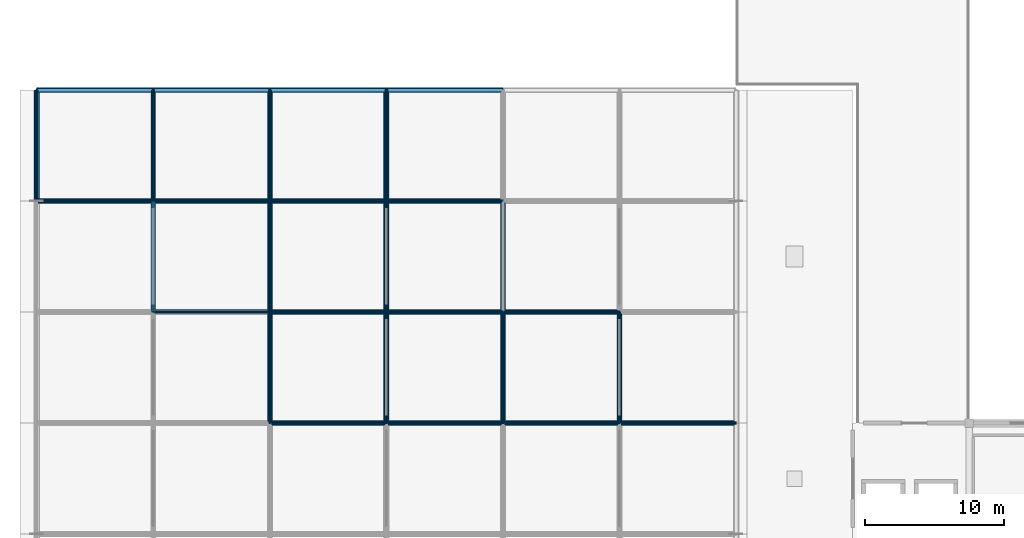
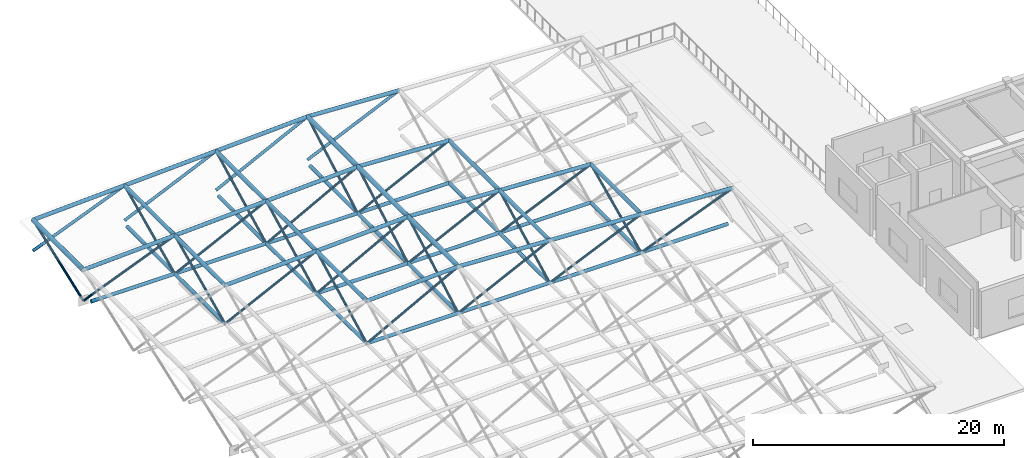
# One storey, part 8 of 37: 46 beams, 31 members.
"""IFC4 building model written with IfcOpenShell, lengths in metres."""

from ifc_helpers import new_model, si_unit, direction, frame, origin, origin_2d, place, context, subcontext, project, spatial, hollow_circle, extrude, material, material_profile, profile_set, type_object, element, save


model = new_model("IFC4")

# Units and contexts
model_context = context("Model", 3, precision=1e-05, world=origin(), true_north=direction((0.0, 1.0)))
body_context = subcontext(model_context, "Body", "Model", "MODEL_VIEW")
ifc_project = project(units=[si_unit("LENGTHUNIT", "METRE"), si_unit("AREAUNIT", "SQUARE_METRE"), si_unit("VOLUMEUNIT", "CUBIC_METRE"), si_unit("PLANEANGLEUNIT", "RADIAN"), si_unit("MASSUNIT", "GRAM", prefix="KILO")], contexts=[model_context])

# Site, building, storey
site_placement = place(None, origin())
site = spatial("IfcSite", under=ifc_project, at=site_placement, CompositionType="ELEMENT")
building_placement = place(site_placement, origin())
building = spatial("IfcBuilding", under=site, at=building_placement, Name="Naruveol Harbour Congress Hotel", CompositionType="ELEMENT")
storey_placement = place(building_placement, frame((0.0, 0.0, 16.199951171875)))
storey = spatial("IfcBuildingStorey", under=building, at=storey_placement, Name="L03", CompositionType="ELEMENT", Elevation=16.199951171875)

# Beams
ifc_material_1 = material(Name="Steel SN490", Category="steel")
ifc_material_profile_1 = material_profile(ifc_material_1, hollow_circle(Radius=0.161865234375, WallThickness=0.012451171875, at=origin_2d()), Name="CHS-323.9x12.5")
ifc_profile_set_1 = profile_set([ifc_material_profile_1], Name="Steel SN490")
beam_type_1 = type_object("IfcBeamType", Name="STEEL SPACE FRAME BOTTOM CHORD CHS324", PredefinedType="JOIST", material=ifc_profile_set_1)
beam_1_placement = place(storey_placement, frame((16.800048828125, 32.0, -0.320068359375), z_axis=(1.0, 0.0, 0.0), x_axis=(0.0, 1.0, 0.0)))
element("IfcBeam", 1, at=beam_1_placement, inside=storey, type_object=beam_type_1, Name="Space frame bottom chord X #21", PredefinedType="JOIST", context=body_context, shape_type="SweptSolid", body=[
    extrude(hollow_circle(Radius=0.161865234375, WallThickness=0.012451171875, at=origin_2d()), origin(), (0.0, 0.0, 1.0), 8.39990234375),
])
beam_2_placement = place(storey_placement, frame((25.199951171875, 32.0, -0.320068359375), z_axis=(1.0, 0.0, 0.0), x_axis=(0.0, 1.0, 0.0)))
element("IfcBeam", 2, at=beam_2_placement, inside=storey, type_object=beam_type_1, Name="Space frame bottom chord X #22", PredefinedType="JOIST", context=body_context, shape_type="SweptSolid", body=[
    extrude(hollow_circle(Radius=0.161865234375, WallThickness=0.012451171875, at=origin_2d()), origin(), (0.0, 0.0, 1.0), 8.400146484375),
])
beam_3_placement = place(storey_placement, frame((33.60009765625, 32.0, -0.320068359375), z_axis=(1.0, 0.0, 0.0), x_axis=(0.0, 1.0, 0.0)))
element("IfcBeam", 3, at=beam_3_placement, inside=storey, type_object=beam_type_1, Name="Space frame bottom chord X #23", PredefinedType="JOIST", context=body_context, shape_type="SweptSolid", body=[
    extrude(hollow_circle(Radius=0.161865234375, WallThickness=0.012451171875, at=origin_2d()), origin(), (0.0, 0.0, 1.0), 8.39990234375),
])
beam_4_placement = place(storey_placement, frame((42.0, 32.0, -0.320068359375), z_axis=(1.0, 0.0, 0.0), x_axis=(0.0, 1.0, 0.0)))
element("IfcBeam", 4, at=beam_4_placement, inside=storey, type_object=beam_type_1, Name="Space frame bottom chord X #24", PredefinedType="JOIST", context=body_context, shape_type="SweptSolid", body=[
    extrude(hollow_circle(Radius=0.161865234375, WallThickness=0.012451171875, at=origin_2d()), origin(), (0.0, 0.0, 1.0), 7.955078125),
])
beam_5_placement = place(storey_placement, frame((16.800048828125, 40.0, -0.320068359375), z_axis=(1.0, 0.0, 0.0), x_axis=(0.0, 1.0, 0.0)))
element("IfcBeam", 5, at=beam_5_placement, inside=storey, type_object=beam_type_1, Name="Space frame bottom chord X #27", PredefinedType="JOIST", context=body_context, shape_type="SweptSolid", body=[
    extrude(hollow_circle(Radius=0.161865234375, WallThickness=0.012451171875, at=origin_2d()), origin(), (0.0, 0.0, 1.0), 8.39990234375),
])
beam_6_placement = place(storey_placement, frame((25.199951171875, 40.0, -0.320068359375), z_axis=(1.0, 0.0, 0.0), x_axis=(0.0, 1.0, 0.0)))
element("IfcBeam", 6, at=beam_6_placement, inside=storey, type_object=beam_type_1, Name="Space frame bottom chord X #28", PredefinedType="JOIST", context=body_context, shape_type="SweptSolid", body=[
    extrude(hollow_circle(Radius=0.161865234375, WallThickness=0.012451171875, at=origin_2d()), origin(), (0.0, 0.0, 1.0), 8.400146484375),
])
beam_7_placement = place(storey_placement, frame((33.60009765625, 40.0, -0.320068359375), z_axis=(1.0, 0.0, 0.0), x_axis=(0.0, 1.0, 0.0)))
element("IfcBeam", 7, at=beam_7_placement, inside=storey, type_object=beam_type_1, Name="Space frame bottom chord X #29", PredefinedType="JOIST", context=body_context, shape_type="SweptSolid", body=[
    extrude(hollow_circle(Radius=0.161865234375, WallThickness=0.012451171875, at=origin_2d()), origin(), (0.0, 0.0, 1.0), 8.39990234375),
])
beam_8_placement = place(storey_placement, frame((0.695068359375, 48.0, -0.320068359375), z_axis=(1.0, 0.0, 0.0), x_axis=(0.0, 1.0, 0.0)))
element("IfcBeam", 8, at=beam_8_placement, inside=storey, type_object=beam_type_1, Name="Space frame bottom chord X #31", PredefinedType="JOIST", context=body_context, shape_type="SweptSolid", body=[
    extrude(hollow_circle(Radius=0.161865234375, WallThickness=0.012451171875, at=origin_2d()), origin(), (0.0, 0.0, 1.0), 7.704833984375),
])
beam_9_placement = place(storey_placement, frame((8.39990234375, 48.0, -0.320068359375), z_axis=(1.0, 0.0, 0.0), x_axis=(0.0, 1.0, 0.0)))
element("IfcBeam", 9, at=beam_9_placement, inside=storey, type_object=beam_type_1, Name="Space frame bottom chord X #32", PredefinedType="JOIST", context=body_context, shape_type="SweptSolid", body=[
    extrude(hollow_circle(Radius=0.161865234375, WallThickness=0.012451171875, at=origin_2d()), origin(), (0.0, 0.0, 1.0), 8.400146484375),
])
beam_10_placement = place(storey_placement, frame((16.800048828125, 48.0, -0.320068359375), z_axis=(1.0, 0.0, 0.0), x_axis=(0.0, 1.0, 0.0)))
element("IfcBeam", 10, at=beam_10_placement, inside=storey, type_object=beam_type_1, Name="Space frame bottom chord X #33", PredefinedType="JOIST", context=body_context, shape_type="SweptSolid", body=[
    extrude(hollow_circle(Radius=0.161865234375, WallThickness=0.012451171875, at=origin_2d()), origin(), (0.0, 0.0, 1.0), 8.39990234375),
])
beam_11_placement = place(storey_placement, frame((25.199951171875, 48.0, -0.320068359375), z_axis=(1.0, 0.0, 0.0), x_axis=(0.0, 1.0, 0.0)))
element("IfcBeam", 11, at=beam_11_placement, inside=storey, type_object=beam_type_1, Name="Space frame bottom chord X #34", PredefinedType="JOIST", context=body_context, shape_type="SweptSolid", body=[
    extrude(hollow_circle(Radius=0.161865234375, WallThickness=0.012451171875, at=origin_2d()), origin(), (0.0, 0.0, 1.0), 8.400146484375),
])
beam_12_placement = place(storey_placement, frame((8.39990234375, 40.0, -0.320068359375), z_axis=(0.0, 1.0, 0.0), x_axis=(-1.0, 0.0, 0.0)))
element("IfcBeam", 12, at=beam_12_placement, inside=storey, type_object=beam_type_1, Name="Space frame bottom chord Y #42", PredefinedType="JOIST", context=body_context, shape_type="SweptSolid", body=[
    extrude(hollow_circle(Radius=0.161865234375, WallThickness=0.012451171875, at=origin_2d()), origin(), (0.0, 0.0, 1.0), 8.0),
])
beam_13_placement = place(storey_placement, frame((8.39990234375, 48.0, -0.320068359375), z_axis=(0.0, 1.0, 0.0), x_axis=(-1.0, 0.0, 0.0)))
element("IfcBeam", 13, at=beam_13_placement, inside=storey, type_object=beam_type_1, Name="Space frame bottom chord Y #43", PredefinedType="JOIST", context=body_context, shape_type="SweptSolid", body=[
    extrude(hollow_circle(Radius=0.161865234375, WallThickness=0.012451171875, at=origin_2d()), origin(), (0.0, 0.0, 1.0), 7.554931640625),
])
for number, where, z_axis, x_axis, name in (
    (14, (16.800048828125, 32.0, -0.320068359375), (0.0, 1.0, 0.0), (-1.0, 0.0, 0.0), "Space frame bottom chord Y #48"),
    (15, (16.800048828125, 40.0, -0.320068359375), (0.0, 1.0, 0.0), (-1.0, 0.0, 0.0), "Space frame bottom chord Y #49"),
):
    element("IfcBeam", number, at=place(storey_placement, frame(where, z_axis=z_axis, x_axis=x_axis)), inside=storey, type_object=beam_type_1, Name=name, PredefinedType="JOIST", context=body_context, shape_type="SweptSolid", body=[
        extrude(hollow_circle(Radius=0.161865234375, WallThickness=0.012451171875, at=origin_2d()), origin(), (0.0, 0.0, 1.0), 8.0),
    ])
beam_14_placement = place(storey_placement, frame((16.800048828125, 48.0, -0.320068359375), z_axis=(0.0, 1.0, 0.0), x_axis=(-1.0, 0.0, 0.0)))
element("IfcBeam", 16, at=beam_14_placement, inside=storey, type_object=beam_type_1, Name="Space frame bottom chord Y #50", PredefinedType="JOIST", context=body_context, shape_type="SweptSolid", body=[
    extrude(hollow_circle(Radius=0.161865234375, WallThickness=0.012451171875, at=origin_2d()), origin(), (0.0, 0.0, 1.0), 7.554931640625),
])
for number, where, z_axis, x_axis, name in (
    (17, (25.199951171875, 32.0, -0.320068359375), (0.0, 1.0, 0.0), (-1.0, 0.0, 0.0), "Space frame bottom chord Y #55"),
    (18, (25.199951171875, 40.0, -0.320068359375), (0.0, 1.0, 0.0), (-1.0, 0.0, 0.0), "Space frame bottom chord Y #56"),
):
    element("IfcBeam", number, at=place(storey_placement, frame(where, z_axis=z_axis, x_axis=x_axis)), inside=storey, type_object=beam_type_1, Name=name, PredefinedType="JOIST", context=body_context, shape_type="SweptSolid", body=[
        extrude(hollow_circle(Radius=0.161865234375, WallThickness=0.012451171875, at=origin_2d()), origin(), (0.0, 0.0, 1.0), 8.0),
    ])
beam_15_placement = place(storey_placement, frame((25.199951171875, 48.0, -0.320068359375), z_axis=(0.0, 1.0, 0.0), x_axis=(-1.0, 0.0, 0.0)))
element("IfcBeam", 19, at=beam_15_placement, inside=storey, type_object=beam_type_1, Name="Space frame bottom chord Y #57", PredefinedType="JOIST", context=body_context, shape_type="SweptSolid", body=[
    extrude(hollow_circle(Radius=0.161865234375, WallThickness=0.012451171875, at=origin_2d()), origin(), (0.0, 0.0, 1.0), 7.554931640625),
])
for number, where, z_axis, x_axis, name in (
    (20, (33.60009765625, 32.0, -0.320068359375), (0.0, 1.0, 0.0), (-1.0, 0.0, 0.0), "Space frame bottom chord Y #62"),
    (21, (33.60009765625, 40.0, -0.320068359375), (0.0, 1.0, 0.0), (-1.0, 0.0, 0.0), "Space frame bottom chord Y #63"),
    (22, (42.0, 32.0, -0.320068359375), (0.0, 1.0, 0.0), (-1.0, 0.0, 0.0), "Space frame bottom chord Y #69"),
):
    element("IfcBeam", number, at=place(storey_placement, frame(where, z_axis=z_axis, x_axis=x_axis)), inside=storey, type_object=beam_type_1, Name=name, PredefinedType="JOIST", context=body_context, shape_type="SweptSolid", body=[
        extrude(hollow_circle(Radius=0.161865234375, WallThickness=0.012451171875, at=origin_2d()), origin(), (0.0, 0.0, 1.0), 8.0),
    ])

# Members
ifc_material_2 = material(Name="Steel SN490", Category="steel")
ifc_material_profile_2 = material_profile(ifc_material_2, hollow_circle(Radius=0.203125, WallThickness=0.01611328125, at=origin_2d()), Name="CHS-406.4x16")
ifc_profile_set_2 = profile_set([ifc_material_profile_2], Name="Steel SN490")
member_type_1 = type_object("IfcMemberType", Name="STEEL SPACE FRAME COLLECTOR CHORD CHS406", PredefinedType="CHORD", material=ifc_profile_set_2)
for number, where, z_axis, x_axis, name in (
    (23, (0.0, 48.0, 3.0), (0.0, 1.0, 0.0), (-1.0, 0.0, 0.0), "Space frame top chord Y #126"),
    (24, (25.199951171875, 32.0, 4.199951171875), (0.0, 1.0, 0.0), (-1.0, 0.0, 0.0), "Space frame top chord Y #145"),
    (25, (25.199951171875, 40.0, 4.199951171875), (0.0, 1.0, 0.0), (-1.0, 0.0, 0.0), "Space frame top chord Y #146"),
    (26, (25.199951171875, 48.0, 4.199951171875), (0.0, 1.0, 0.0), (-1.0, 0.0, 0.0), "Space frame top chord Y #147"),
):
    element("IfcMember", number, at=place(storey_placement, frame(where, z_axis=z_axis, x_axis=x_axis)), inside=storey, type_object=member_type_1, Name=name, PredefinedType="CHORD", context=body_context, shape_type="SweptSolid", body=[
        extrude(hollow_circle(Radius=0.203125, WallThickness=0.01611328125, at=origin_2d()), origin(), (0.0, 0.0, 1.0), 8.0),
    ])
ifc_material_3 = material(Name="Steel SN490", Category="steel")
ifc_material_profile_3 = material_profile(ifc_material_3, hollow_circle(Radius=0.1337890625, WallThickness=0.011962890625, at=origin_2d()), Name="CHS-267.4x12")
ifc_profile_set_3 = profile_set([ifc_material_profile_3], Name="Steel SN490")
member_type_2 = type_object("IfcMemberType", Name="STEEL SPACE FRAME EDGE STRUT CHS267", PredefinedType="STRUT", material=ifc_profile_set_3)
member_1_placement = place(storey_placement, frame((0.0, 56.0, 0.0), z_axis=(0.926939674222, 0.0, 0.375210394783), x_axis=(0.0, 1.0, 0.0)))
element("IfcMember", 27, at=member_1_placement, inside=storey, type_object=member_type_2, Name="Space frame north strut #183", PredefinedType="STRUT", context=body_context, shape_type="SweptSolid", body=[
    extrude(hollow_circle(Radius=0.1337890625, WallThickness=0.011962890625, at=origin_2d()), origin(), (0.0, 0.0, 1.0), 9.06201171875),
])
member_2_placement = place(storey_placement, frame((8.39990234375, 56.0, 0.0), z_axis=(0.911108633133, 0.0, 0.412166299727), x_axis=(0.0, 1.0, 0.0)))
element("IfcMember", 28, at=member_2_placement, inside=storey, type_object=member_type_2, Name="Space frame north strut #198", PredefinedType="STRUT", context=body_context, shape_type="SweptSolid", body=[
    extrude(hollow_circle(Radius=0.1337890625, WallThickness=0.011962890625, at=origin_2d()), origin(), (0.0, 0.0, 1.0), 9.2197265625),
])
member_3_placement = place(storey_placement, frame((16.800048828125, 56.0, 0.0), z_axis=(0.894427191, 0.0, 0.4472135955), x_axis=(0.0, 1.0, 0.0)))
element("IfcMember", 29, at=member_3_placement, inside=storey, type_object=member_type_2, Name="Space frame north strut #213", PredefinedType="STRUT", context=body_context, shape_type="SweptSolid", body=[
    extrude(hollow_circle(Radius=0.1337890625, WallThickness=0.011962890625, at=origin_2d()), origin(), (0.0, 0.0, 1.0), 9.391357421875),
])
member_4_placement = place(storey_placement, frame((25.199951171875, 56.0, 0.0), z_axis=(0.911108633133, 0.0, 0.412166299727), x_axis=(0.0, 1.0, 0.0)))
element("IfcMember", 30, at=member_4_placement, inside=storey, type_object=member_type_2, Name="Space frame north strut #228", PredefinedType="STRUT", context=body_context, shape_type="SweptSolid", body=[
    extrude(hollow_circle(Radius=0.1337890625, WallThickness=0.011962890625, at=origin_2d()), origin(), (0.0, 0.0, 1.0), 9.2197265625),
])
ifc_material_4 = material(Name="Steel SN490", Category="steel")
ifc_material_profile_4 = material_profile(ifc_material_4, hollow_circle(Radius=0.109619140625, WallThickness=0.010009765625, at=origin_2d()), Name="CHS-219.1x10")
ifc_profile_set_4 = profile_set([ifc_material_profile_4], Name="Steel SN490")
member_type_3 = type_object("IfcMemberType", Name="STEEL SPACE FRAME MAIN DIAGONAL CHS219", PredefinedType="BRACE", material=ifc_profile_set_4)
member_5_placement = place(storey_placement, frame((0.0, 48.0, 0.0), z_axis=(0.926939674222, 0.0, 0.375210394783), x_axis=(0.0, 1.0, 0.0)))
element("IfcMember", 31, at=member_5_placement, inside=storey, type_object=member_type_3, Name="Space frame web diagonal #181", PredefinedType="BRACE", context=body_context, shape_type="SweptSolid", body=[
    extrude(hollow_circle(Radius=0.109619140625, WallThickness=0.010009765625, at=origin_2d()), origin(), (0.0, 0.0, 1.0), 9.06201171875),
])
member_6_placement = place(storey_placement, frame((0.0, 48.0, 0.0), z_axis=(0.0, 0.936329177569, 0.351123441588), x_axis=(-1.0, 0.0, 0.0)))
element("IfcMember", 32, at=member_6_placement, inside=storey, type_object=member_type_3, Name="Space frame transverse diagonal #182", PredefinedType="BRACE", context=body_context, shape_type="SweptSolid", body=[
    extrude(hollow_circle(Radius=0.109619140625, WallThickness=0.010009765625, at=origin_2d()), origin(), (0.0, 0.0, 1.0), 8.5439453125),
])
member_7_placement = place(storey_placement, frame((8.39990234375, 40.0, -0.320068359375), z_axis=(0.897819388189, 0.0, 0.4403638793), x_axis=(0.0, 1.0, 0.0)))
element("IfcMember", 33, at=member_7_placement, inside=storey, type_object=member_type_3, Name="Space frame web diagonal #194", PredefinedType="BRACE", context=body_context, shape_type="SweptSolid", body=[
    extrude(hollow_circle(Radius=0.109619140625, WallThickness=0.010009765625, at=origin_2d()), origin(), (0.0, 0.0, 1.0), 9.356201171875),
])
member_8_placement = place(storey_placement, frame((8.39990234375, 40.0, -0.320068359375), z_axis=(0.0, 0.906752115722, 0.421664085064), x_axis=(-1.0, 0.0, 0.0)))
element("IfcMember", 34, at=member_8_placement, inside=storey, type_object=member_type_3, Name="Space frame transverse diagonal #195", PredefinedType="BRACE", context=body_context, shape_type="SweptSolid", body=[
    extrude(hollow_circle(Radius=0.109619140625, WallThickness=0.010009765625, at=origin_2d()), origin(), (0.0, 0.0, 1.0), 8.82275390625),
])
member_9_placement = place(storey_placement, frame((8.39990234375, 48.0, -0.320068359375), z_axis=(0.897819388189, 0.0, 0.4403638793), x_axis=(0.0, 1.0, 0.0)))
element("IfcMember", 35, at=member_9_placement, inside=storey, type_object=member_type_3, Name="Space frame web diagonal #196", PredefinedType="BRACE", context=body_context, shape_type="SweptSolid", body=[
    extrude(hollow_circle(Radius=0.109619140625, WallThickness=0.010009765625, at=origin_2d()), origin(), (0.0, 0.0, 1.0), 9.356201171875),
])
member_10_placement = place(storey_placement, frame((8.39990234375, 48.0, -0.320068359375), z_axis=(0.0, 0.906752115722, 0.421664085064), x_axis=(-1.0, 0.0, 0.0)))
element("IfcMember", 36, at=member_10_placement, inside=storey, type_object=member_type_3, Name="Space frame transverse diagonal #197", PredefinedType="BRACE", context=body_context, shape_type="SweptSolid", body=[
    extrude(hollow_circle(Radius=0.109619140625, WallThickness=0.010009765625, at=origin_2d()), origin(), (0.0, 0.0, 1.0), 8.82275390625),
])
member_11_placement = place(storey_placement, frame((16.800048828125, 32.0, -0.320068359375), z_axis=(0.880602560466, 0.0, 0.473855600897), x_axis=(0.0, 1.0, 0.0)))
element("IfcMember", 37, at=member_11_placement, inside=storey, type_object=member_type_3, Name="Space frame web diagonal #207", PredefinedType="BRACE", context=body_context, shape_type="SweptSolid", body=[
    extrude(hollow_circle(Radius=0.109619140625, WallThickness=0.010009765625, at=origin_2d()), origin(), (0.0, 0.0, 1.0), 9.538818359375),
])
member_12_placement = place(storey_placement, frame((16.800048828125, 32.0, -0.320068359375), z_axis=(0.0, 0.889024087691, 0.457860427975), x_axis=(-1.0, 0.0, 0.0)))
element("IfcMember", 38, at=member_12_placement, inside=storey, type_object=member_type_3, Name="Space frame transverse diagonal #208", PredefinedType="BRACE", context=body_context, shape_type="SweptSolid", body=[
    extrude(hollow_circle(Radius=0.109619140625, WallThickness=0.010009765625, at=origin_2d()), origin(), (0.0, 0.0, 1.0), 8.99853515625),
])
member_13_placement = place(storey_placement, frame((16.800048828125, 40.0, -0.320068359375), z_axis=(0.880602560466, 0.0, 0.473855600897), x_axis=(0.0, 1.0, 0.0)))
element("IfcMember", 39, at=member_13_placement, inside=storey, type_object=member_type_3, Name="Space frame web diagonal #209", PredefinedType="BRACE", context=body_context, shape_type="SweptSolid", body=[
    extrude(hollow_circle(Radius=0.109619140625, WallThickness=0.010009765625, at=origin_2d()), origin(), (0.0, 0.0, 1.0), 9.538818359375),
])
member_14_placement = place(storey_placement, frame((16.800048828125, 40.0, -0.320068359375), z_axis=(0.0, 0.889024087691, 0.457860427975), x_axis=(-1.0, 0.0, 0.0)))
element("IfcMember", 40, at=member_14_placement, inside=storey, type_object=member_type_3, Name="Space frame transverse diagonal #210", PredefinedType="BRACE", context=body_context, shape_type="SweptSolid", body=[
    extrude(hollow_circle(Radius=0.109619140625, WallThickness=0.010009765625, at=origin_2d()), origin(), (0.0, 0.0, 1.0), 8.99853515625),
])
member_15_placement = place(storey_placement, frame((16.800048828125, 48.0, -0.320068359375), z_axis=(0.880602560466, 0.0, 0.473855600897), x_axis=(0.0, 1.0, 0.0)))
element("IfcMember", 41, at=member_15_placement, inside=storey, type_object=member_type_3, Name="Space frame web diagonal #211", PredefinedType="BRACE", context=body_context, shape_type="SweptSolid", body=[
    extrude(hollow_circle(Radius=0.109619140625, WallThickness=0.010009765625, at=origin_2d()), origin(), (0.0, 0.0, 1.0), 9.538818359375),
])
member_16_placement = place(storey_placement, frame((16.800048828125, 48.0, -0.320068359375), z_axis=(0.0, 0.889024087691, 0.457860427975), x_axis=(-1.0, 0.0, 0.0)))
element("IfcMember", 42, at=member_16_placement, inside=storey, type_object=member_type_3, Name="Space frame transverse diagonal #212", PredefinedType="BRACE", context=body_context, shape_type="SweptSolid", body=[
    extrude(hollow_circle(Radius=0.109619140625, WallThickness=0.010009765625, at=origin_2d()), origin(), (0.0, 0.0, 1.0), 8.99853515625),
])
member_17_placement = place(storey_placement, frame((25.199951171875, 32.0, -0.320068359375), z_axis=(0.897819388189, 0.0, 0.4403638793), x_axis=(0.0, 1.0, 0.0)))
element("IfcMember", 43, at=member_17_placement, inside=storey, type_object=member_type_3, Name="Space frame web diagonal #222", PredefinedType="BRACE", context=body_context, shape_type="SweptSolid", body=[
    extrude(hollow_circle(Radius=0.109619140625, WallThickness=0.010009765625, at=origin_2d()), origin(), (0.0, 0.0, 1.0), 9.356201171875),
])
member_18_placement = place(storey_placement, frame((25.199951171875, 32.0, -0.320068359375), z_axis=(0.0, 0.870642993702, 0.491915417035), x_axis=(-1.0, 0.0, 0.0)))
element("IfcMember", 44, at=member_18_placement, inside=storey, type_object=member_type_3, Name="Space frame transverse diagonal #223", PredefinedType="BRACE", context=body_context, shape_type="SweptSolid", body=[
    extrude(hollow_circle(Radius=0.109619140625, WallThickness=0.010009765625, at=origin_2d()), origin(), (0.0, 0.0, 1.0), 9.188720703125),
])
member_19_placement = place(storey_placement, frame((25.199951171875, 40.0, -0.320068359375), z_axis=(0.897819388189, 0.0, 0.4403638793), x_axis=(0.0, 1.0, 0.0)))
element("IfcMember", 45, at=member_19_placement, inside=storey, type_object=member_type_3, Name="Space frame web diagonal #224", PredefinedType="BRACE", context=body_context, shape_type="SweptSolid", body=[
    extrude(hollow_circle(Radius=0.109619140625, WallThickness=0.010009765625, at=origin_2d()), origin(), (0.0, 0.0, 1.0), 9.356201171875),
])
member_20_placement = place(storey_placement, frame((25.199951171875, 40.0, -0.320068359375), z_axis=(0.0, 0.870642993702, 0.491915417035), x_axis=(-1.0, 0.0, 0.0)))
element("IfcMember", 46, at=member_20_placement, inside=storey, type_object=member_type_3, Name="Space frame transverse diagonal #225", PredefinedType="BRACE", context=body_context, shape_type="SweptSolid", body=[
    extrude(hollow_circle(Radius=0.109619140625, WallThickness=0.010009765625, at=origin_2d()), origin(), (0.0, 0.0, 1.0), 9.188720703125),
])
member_21_placement = place(storey_placement, frame((25.199951171875, 48.0, -0.320068359375), z_axis=(0.897819388189, 0.0, 0.4403638793), x_axis=(0.0, 1.0, 0.0)))
element("IfcMember", 47, at=member_21_placement, inside=storey, type_object=member_type_3, Name="Space frame web diagonal #226", PredefinedType="BRACE", context=body_context, shape_type="SweptSolid", body=[
    extrude(hollow_circle(Radius=0.109619140625, WallThickness=0.010009765625, at=origin_2d()), origin(), (0.0, 0.0, 1.0), 9.356201171875),
])
member_22_placement = place(storey_placement, frame((25.199951171875, 48.0, -0.320068359375), z_axis=(0.0, 0.870642993702, 0.491915417035), x_axis=(-1.0, 0.0, 0.0)))
element("IfcMember", 48, at=member_22_placement, inside=storey, type_object=member_type_3, Name="Space frame transverse diagonal #227", PredefinedType="BRACE", context=body_context, shape_type="SweptSolid", body=[
    extrude(hollow_circle(Radius=0.109619140625, WallThickness=0.010009765625, at=origin_2d()), origin(), (0.0, 0.0, 1.0), 9.188720703125),
])
member_23_placement = place(storey_placement, frame((33.60009765625, 32.0, -0.320068359375), z_axis=(0.914338987874, 0.0, 0.40494964533), x_axis=(0.0, 1.0, 0.0)))
element("IfcMember", 49, at=member_23_placement, inside=storey, type_object=member_type_3, Name="Space frame web diagonal #237", PredefinedType="BRACE", context=body_context, shape_type="SweptSolid", body=[
    extrude(hollow_circle(Radius=0.109619140625, WallThickness=0.010009765625, at=origin_2d()), origin(), (0.0, 0.0, 1.0), 9.186767578125),
])
member_24_placement = place(storey_placement, frame((33.60009765625, 32.0, -0.320068359375), z_axis=(0.0, 0.889024087691, 0.457860427975), x_axis=(-1.0, 0.0, 0.0)))
element("IfcMember", 50, at=member_24_placement, inside=storey, type_object=member_type_3, Name="Space frame transverse diagonal #238", PredefinedType="BRACE", context=body_context, shape_type="SweptSolid", body=[
    extrude(hollow_circle(Radius=0.109619140625, WallThickness=0.010009765625, at=origin_2d()), origin(), (0.0, 0.0, 1.0), 8.99853515625),
])
member_25_placement = place(storey_placement, frame((33.60009765625, 40.0, -0.320068359375), z_axis=(0.914338987874, 0.0, 0.40494964533), x_axis=(0.0, 1.0, 0.0)))
element("IfcMember", 51, at=member_25_placement, inside=storey, type_object=member_type_3, Name="Space frame web diagonal #239", PredefinedType="BRACE", context=body_context, shape_type="SweptSolid", body=[
    extrude(hollow_circle(Radius=0.109619140625, WallThickness=0.010009765625, at=origin_2d()), origin(), (0.0, 0.0, 1.0), 9.186767578125),
])
member_26_placement = place(storey_placement, frame((42.0, 32.0, -0.320068359375), z_axis=(0.929991880905, 0.0, 0.367580061281), x_axis=(0.0, 1.0, 0.0)))
element("IfcMember", 52, at=member_26_placement, inside=storey, type_object=member_type_3, Name="Space frame web diagonal #256", PredefinedType="BRACE", context=body_context, shape_type="SweptSolid", body=[
    extrude(hollow_circle(Radius=0.109619140625, WallThickness=0.010009765625, at=origin_2d()), origin(), (0.0, 0.0, 1.0), 9.0322265625),
])
member_27_placement = place(storey_placement, frame((42.0, 32.0, -0.320068359375), z_axis=(0.0, 0.906752115722, 0.421664085064), x_axis=(-1.0, 0.0, 0.0)))
element("IfcMember", 53, at=member_27_placement, inside=storey, type_object=member_type_3, Name="Space frame transverse diagonal #257", PredefinedType="BRACE", context=body_context, shape_type="SweptSolid", body=[
    extrude(hollow_circle(Radius=0.109619140625, WallThickness=0.010009765625, at=origin_2d()), origin(), (0.0, 0.0, 1.0), 8.82275390625),
])

# Beams
ifc_material_5 = material(Name="Steel SN490", Category="steel")
ifc_material_profile_5 = material_profile(ifc_material_5, hollow_circle(Radius=0.177734375, WallThickness=0.01611328125, at=origin_2d()), Name="CHS-355.6x16")
ifc_profile_set_5 = profile_set([ifc_material_profile_5], Name="Steel SN490")
beam_type_2 = type_object("IfcBeamType", Name="STEEL SPACE FRAME TOP CHORD CHS356", PredefinedType="JOIST", material=ifc_profile_set_5)
beam_16_placement = place(storey_placement, frame((16.800048828125, 32.0, 3.800048828125), z_axis=(0.998868663126, 0.0, 0.047554114695), x_axis=(0.0, 1.0, 0.0)))
element("IfcBeam", 54, at=beam_16_placement, inside=storey, type_object=beam_type_2, Name="Space frame top chord X #98", PredefinedType="JOIST", context=body_context, shape_type="SweptSolid", body=[
    extrude(hollow_circle(Radius=0.177734375, WallThickness=0.01611328125, at=origin_2d()), origin(), (0.0, 0.0, 1.0), 8.409423828125),
])
beam_17_placement = place(storey_placement, frame((25.199951171875, 32.0, 4.199951171875), z_axis=(0.998868728776, 0.0, -0.047552735715), x_axis=(0.0, 1.0, 0.0)))
element("IfcBeam", 55, at=beam_17_placement, inside=storey, type_object=beam_type_2, Name="Space frame top chord X #99", PredefinedType="JOIST", context=body_context, shape_type="SweptSolid", body=[
    extrude(hollow_circle(Radius=0.177734375, WallThickness=0.01611328125, at=origin_2d()), origin(), (0.0, 0.0, 1.0), 8.40966796875),
])
for number, where, z_axis, x_axis, name in (
    (56, (33.60009765625, 32.0, 3.800048828125), (0.998868663126, 0.0, -0.047554114695), (0.0, 1.0, 0.0), "Space frame top chord X #100"),
    (57, (42.0, 32.0, 3.400146484375), (0.998867283688, 0.0, -0.047583080799), (0.0, 1.0, 0.0), "Space frame top chord X #101"),
):
    element("IfcBeam", number, at=place(storey_placement, frame(where, z_axis=z_axis, x_axis=x_axis)), inside=storey, type_object=beam_type_2, Name=name, PredefinedType="JOIST", context=body_context, shape_type="SweptSolid", body=[
        extrude(hollow_circle(Radius=0.177734375, WallThickness=0.01611328125, at=origin_2d()), origin(), (0.0, 0.0, 1.0), 8.409423828125),
    ])
beam_18_placement = place(storey_placement, frame((8.39990234375, 40.0, 3.400146484375), z_axis=(0.998868728776, 0.0, 0.047552735715), x_axis=(0.0, 1.0, 0.0)))
element("IfcBeam", 58, at=beam_18_placement, inside=storey, type_object=beam_type_2, Name="Space frame top chord X #103", PredefinedType="JOIST", context=body_context, shape_type="SweptSolid", body=[
    extrude(hollow_circle(Radius=0.177734375, WallThickness=0.01611328125, at=origin_2d()), origin(), (0.0, 0.0, 1.0), 8.40966796875),
])
beam_19_placement = place(storey_placement, frame((16.800048828125, 40.0, 3.800048828125), z_axis=(0.998868663126, 0.0, 0.047554114695), x_axis=(0.0, 1.0, 0.0)))
element("IfcBeam", 59, at=beam_19_placement, inside=storey, type_object=beam_type_2, Name="Space frame top chord X #104", PredefinedType="JOIST", context=body_context, shape_type="SweptSolid", body=[
    extrude(hollow_circle(Radius=0.177734375, WallThickness=0.01611328125, at=origin_2d()), origin(), (0.0, 0.0, 1.0), 8.409423828125),
])
beam_20_placement = place(storey_placement, frame((25.199951171875, 40.0, 4.199951171875), z_axis=(0.998868728776, 0.0, -0.047552735715), x_axis=(0.0, 1.0, 0.0)))
element("IfcBeam", 60, at=beam_20_placement, inside=storey, type_object=beam_type_2, Name="Space frame top chord X #105", PredefinedType="JOIST", context=body_context, shape_type="SweptSolid", body=[
    extrude(hollow_circle(Radius=0.177734375, WallThickness=0.01611328125, at=origin_2d()), origin(), (0.0, 0.0, 1.0), 8.40966796875),
])
for number, where, z_axis, x_axis, name in (
    (61, (33.60009765625, 40.0, 3.800048828125), (0.998868663126, 0.0, -0.047554114695), (0.0, 1.0, 0.0), "Space frame top chord X #106"),
    (62, (0.0, 48.0, 3.0), (0.998867283688, 0.0, 0.047583080799), (0.0, 1.0, 0.0), "Space frame top chord X #108"),
):
    element("IfcBeam", number, at=place(storey_placement, frame(where, z_axis=z_axis, x_axis=x_axis)), inside=storey, type_object=beam_type_2, Name=name, PredefinedType="JOIST", context=body_context, shape_type="SweptSolid", body=[
        extrude(hollow_circle(Radius=0.177734375, WallThickness=0.01611328125, at=origin_2d()), origin(), (0.0, 0.0, 1.0), 8.409423828125),
    ])
beam_21_placement = place(storey_placement, frame((8.39990234375, 48.0, 3.400146484375), z_axis=(0.998868728776, 0.0, 0.047552735715), x_axis=(0.0, 1.0, 0.0)))
element("IfcBeam", 63, at=beam_21_placement, inside=storey, type_object=beam_type_2, Name="Space frame top chord X #109", PredefinedType="JOIST", context=body_context, shape_type="SweptSolid", body=[
    extrude(hollow_circle(Radius=0.177734375, WallThickness=0.01611328125, at=origin_2d()), origin(), (0.0, 0.0, 1.0), 8.40966796875),
])
beam_22_placement = place(storey_placement, frame((16.800048828125, 48.0, 3.800048828125), z_axis=(0.998868663126, 0.0, 0.047554114695), x_axis=(0.0, 1.0, 0.0)))
element("IfcBeam", 64, at=beam_22_placement, inside=storey, type_object=beam_type_2, Name="Space frame top chord X #110", PredefinedType="JOIST", context=body_context, shape_type="SweptSolid", body=[
    extrude(hollow_circle(Radius=0.177734375, WallThickness=0.01611328125, at=origin_2d()), origin(), (0.0, 0.0, 1.0), 8.409423828125),
])
beam_23_placement = place(storey_placement, frame((25.199951171875, 48.0, 4.199951171875), z_axis=(0.998868728776, 0.0, -0.047552735715), x_axis=(0.0, 1.0, 0.0)))
element("IfcBeam", 65, at=beam_23_placement, inside=storey, type_object=beam_type_2, Name="Space frame top chord X #111", PredefinedType="JOIST", context=body_context, shape_type="SweptSolid", body=[
    extrude(hollow_circle(Radius=0.177734375, WallThickness=0.01611328125, at=origin_2d()), origin(), (0.0, 0.0, 1.0), 8.40966796875),
])
beam_24_placement = place(storey_placement, frame((0.0, 56.0, 3.0), z_axis=(0.998867283688, 0.0, 0.047583080799), x_axis=(0.0, 1.0, 0.0)))
element("IfcBeam", 66, at=beam_24_placement, inside=storey, type_object=beam_type_2, Name="Space frame top chord X #114", PredefinedType="JOIST", context=body_context, shape_type="SweptSolid", body=[
    extrude(hollow_circle(Radius=0.177734375, WallThickness=0.01611328125, at=origin_2d()), origin(), (0.0, 0.0, 1.0), 8.409423828125),
])
beam_25_placement = place(storey_placement, frame((8.39990234375, 56.0, 3.400146484375), z_axis=(0.998868728776, 0.0, 0.047552735715), x_axis=(0.0, 1.0, 0.0)))
element("IfcBeam", 67, at=beam_25_placement, inside=storey, type_object=beam_type_2, Name="Space frame top chord X #115", PredefinedType="JOIST", context=body_context, shape_type="SweptSolid", body=[
    extrude(hollow_circle(Radius=0.177734375, WallThickness=0.01611328125, at=origin_2d()), origin(), (0.0, 0.0, 1.0), 8.40966796875),
])
beam_26_placement = place(storey_placement, frame((16.800048828125, 56.0, 3.800048828125), z_axis=(0.998868663126, 0.0, 0.047554114695), x_axis=(0.0, 1.0, 0.0)))
element("IfcBeam", 68, at=beam_26_placement, inside=storey, type_object=beam_type_2, Name="Space frame top chord X #116", PredefinedType="JOIST", context=body_context, shape_type="SweptSolid", body=[
    extrude(hollow_circle(Radius=0.177734375, WallThickness=0.01611328125, at=origin_2d()), origin(), (0.0, 0.0, 1.0), 8.409423828125),
])
beam_27_placement = place(storey_placement, frame((25.199951171875, 56.0, 4.199951171875), z_axis=(0.998868728776, 0.0, -0.047552735715), x_axis=(0.0, 1.0, 0.0)))
element("IfcBeam", 69, at=beam_27_placement, inside=storey, type_object=beam_type_2, Name="Space frame top chord X #117", PredefinedType="JOIST", context=body_context, shape_type="SweptSolid", body=[
    extrude(hollow_circle(Radius=0.177734375, WallThickness=0.01611328125, at=origin_2d()), origin(), (0.0, 0.0, 1.0), 8.40966796875),
])
for number, where, z_axis, x_axis, name in (
    (70, (8.39990234375, 40.0, 3.400146484375), (0.0, 1.0, 0.0), (-1.0, 0.0, 0.0), "Space frame top chord Y #132"),
    (71, (8.39990234375, 48.0, 3.400146484375), (0.0, 1.0, 0.0), (-1.0, 0.0, 0.0), "Space frame top chord Y #133"),
    (72, (16.800048828125, 32.0, 3.800048828125), (0.0, 1.0, 0.0), (-1.0, 0.0, 0.0), "Space frame top chord Y #138"),
    (73, (16.800048828125, 40.0, 3.800048828125), (0.0, 1.0, 0.0), (-1.0, 0.0, 0.0), "Space frame top chord Y #139"),
    (74, (16.800048828125, 48.0, 3.800048828125), (0.0, 1.0, 0.0), (-1.0, 0.0, 0.0), "Space frame top chord Y #140"),
    (75, (33.60009765625, 32.0, 3.800048828125), (0.0, 1.0, 0.0), (-1.0, 0.0, 0.0), "Space frame top chord Y #152"),
    (76, (33.60009765625, 40.0, 3.800048828125), (0.0, 1.0, 0.0), (-1.0, 0.0, 0.0), "Space frame top chord Y #153"),
    (77, (42.0, 32.0, 3.400146484375), (0.0, 1.0, 0.0), (-1.0, 0.0, 0.0), "Space frame top chord Y #159"),
):
    element("IfcBeam", number, at=place(storey_placement, frame(where, z_axis=z_axis, x_axis=x_axis)), inside=storey, type_object=beam_type_2, Name=name, PredefinedType="JOIST", context=body_context, shape_type="SweptSolid", body=[
        extrude(hollow_circle(Radius=0.177734375, WallThickness=0.01611328125, at=origin_2d()), origin(), (0.0, 0.0, 1.0), 8.0),
    ])

save(model, "model.ifc")
